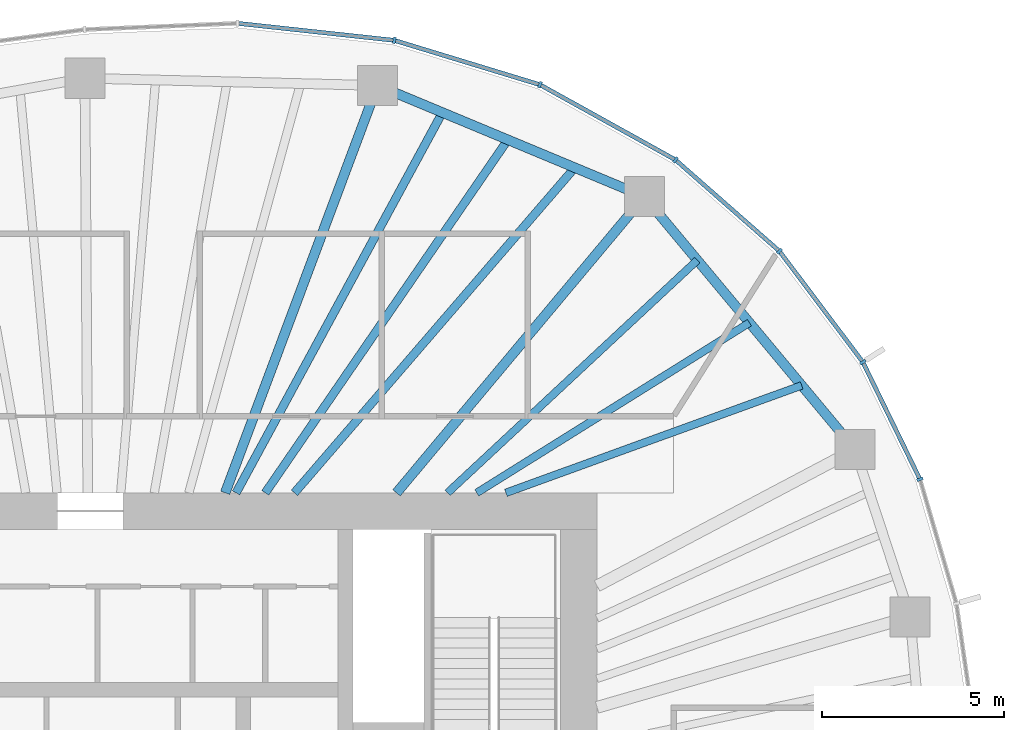
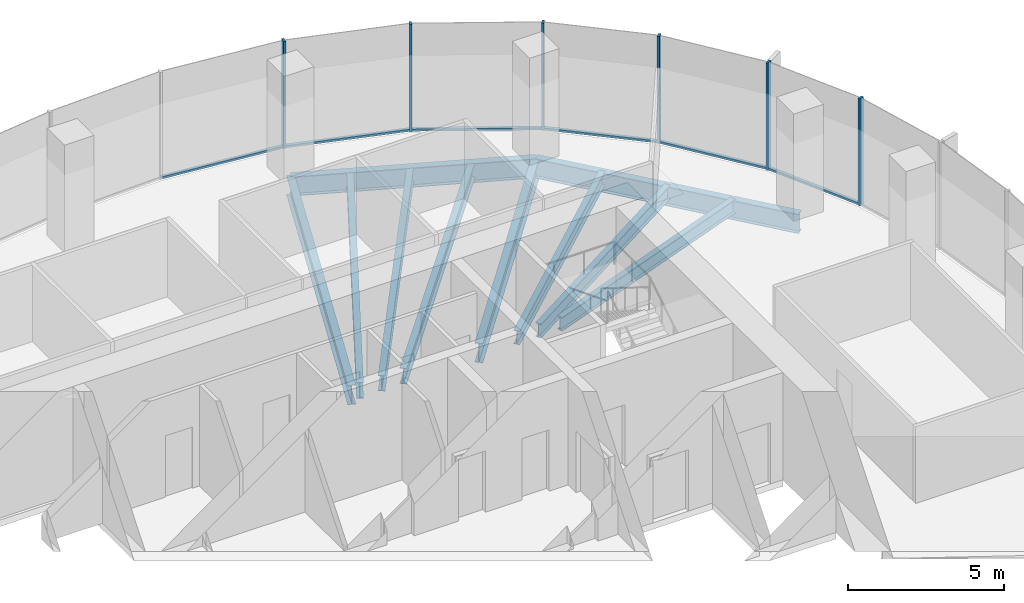
# One storey, part 6 of 11: 12 members, 10 beams, 4 elements without a shape of their own.
"""IFC4 building model written with IfcOpenShell, lengths in metres."""

from ifc_helpers import new_model, si_unit, direction, frame, origin, origin_2d, place, context, subcontext, project, spatial, rectangle, i_section, extrude, material, material_profile, profile_set, type_object, element, aggregate, save


model = new_model("IFC4")

# Units and contexts
model_context = context("Model", 3, precision=1e-05, world=origin(), true_north=direction((0.0, 1.0)))
body_context = subcontext(model_context, "Body", "Model", "MODEL_VIEW")
ifc_project = project(units=[si_unit("LENGTHUNIT", "METRE"), si_unit("AREAUNIT", "SQUARE_METRE"), si_unit("VOLUMEUNIT", "CUBIC_METRE"), si_unit("PLANEANGLEUNIT", "RADIAN"), si_unit("MASSUNIT", "GRAM", prefix="KILO")], contexts=[model_context])

# Site, building, storey
site_placement = place(None, origin())
site = spatial("IfcSite", under=ifc_project, at=site_placement, CompositionType="ELEMENT")
building_placement = place(site_placement, origin())
building = spatial("IfcBuilding", under=site, at=building_placement, Name="Ghaith Harvest Tower", CompositionType="ELEMENT")
storey_placement = place(building_placement, frame((0.0, 0.0, 283.800048828125)))
storey = spatial("IfcBuildingStorey", under=building, at=storey_placement, Name="L63", CompositionType="ELEMENT", Elevation=283.800048828125)

# Curtain wall, member
ifc_material_1 = material(Name="Black anodised aluminium and fritted glass", Category="aluminium")
curtain_wall_type = type_object("IfcCurtainWallType", Name="CW-T CURTAIN WALL", PredefinedType="NOTDEFINED", material=ifc_material_1)
curtain_wall_1_placement = place(storey_placement, origin())
curtain_wall_1 = element("IfcCurtainWall", 1, at=curtain_wall_1_placement, inside=storey, type_object=curtain_wall_type, Name="Curtain wall CW-T bay 02 L63", PredefinedType="NOTDEFINED")
ifc_material_2 = material(Name="Aluminium, black anodised", Category="aluminium")
ifc_material_profile_1 = material_profile(ifc_material_2, rectangle(XDim=0.080078125, YDim=0.179931640625, at=origin_2d()), Name="CW-T MULLION 80x180")
ifc_profile_set_1 = profile_set([ifc_material_profile_1], Name="Aluminium, black anodised")
member_type_1 = type_object("IfcMemberType", Name="CW-T MULLION 80x180", PredefinedType="MULLION", material=ifc_profile_set_1)
member_1_placement = place(storey_placement, frame((22.754150390625, 10.272216796875, 0.0), z_axis=(0.0, 0.0, 1.0), x_axis=(-0.361184273709, 0.932494461338, 0.0)))
member_1 = element("IfcMember", 2, at=member_1_placement, type_object=member_type_1, Name="CW-T mullion 2 bay 02 L63", PredefinedType="MULLION", context=body_context, shape_type="SweptSolid", body=[
    extrude(rectangle(XDim=0.080078125, YDim=0.179931640625, at=origin_2d()), origin(), (0.0, 0.0, 1.0), 4.199951171875),
])

# Curtain wall, members
curtain_wall_2_placement = place(storey_placement, origin())
curtain_wall_2 = element("IfcCurtainWall", 3, at=curtain_wall_2_placement, inside=storey, type_object=curtain_wall_type, Name="Curtain wall CW-T bay 03 L63", PredefinedType="NOTDEFINED")
member_2_placement = place(storey_placement, frame((21.18896484375, 13.48486328125, 0.0), z_axis=(0.0, 0.0, 1.0), x_axis=(-0.524482238522, 0.851421388899, 0.0)))
member_2 = element("IfcMember", 4, at=member_2_placement, type_object=member_type_1, Name="CW-T mullion 1 bay 03 L63", PredefinedType="MULLION", context=body_context, shape_type="SweptSolid", body=[
    extrude(rectangle(XDim=0.080078125, YDim=0.179931640625, at=origin_2d()), origin(), (0.0, 0.0, 1.0), 4.199951171875),
])
member_3_placement = place(storey_placement, frame((18.901123046875, 16.527099609375, 0.0), z_axis=(0.0, 0.0, 1.0), x_axis=(-0.679660897075, 0.733526458274, 0.0)))
member_3 = element("IfcMember", 5, at=member_3_placement, type_object=member_type_1, Name="CW-T mullion 2 bay 03 L63", PredefinedType="MULLION", context=body_context, shape_type="SweptSolid", body=[
    extrude(rectangle(XDim=0.080078125, YDim=0.179931640625, at=origin_2d()), origin(), (0.0, 0.0, 1.0), 4.199951171875),
])

curtain_wall_3_placement = place(storey_placement, origin())
curtain_wall_3 = element("IfcCurtainWall", 6, at=curtain_wall_3_placement, inside=storey, type_object=curtain_wall_type, Name="Curtain wall CW-T bay 04 L63", PredefinedType="NOTDEFINED")
member_4_placement = place(storey_placement, frame((16.04931640625, 19.031982421875, 0.0), z_axis=(0.0, 0.0, 1.0), x_axis=(-0.821112053873, 0.570767023385, 0.0)))
member_4 = element("IfcMember", 7, at=member_4_placement, type_object=member_type_1, Name="CW-T mullion 1 bay 04 L63", PredefinedType="MULLION", context=body_context, shape_type="SweptSolid", body=[
    extrude(rectangle(XDim=0.080078125, YDim=0.179931640625, at=origin_2d()), origin(), (0.0, 0.0, 1.0), 4.199951171875),
])
member_5_placement = place(storey_placement, frame((12.334228515625, 21.091796875, 0.0), z_axis=(0.0, 0.0, 1.0), x_axis=(-0.920319269246, 0.391168049123, 0.0)))
member_5 = element("IfcMember", 8, at=member_5_placement, type_object=member_type_1, Name="CW-T mullion 2 bay 04 L63", PredefinedType="MULLION", context=body_context, shape_type="SweptSolid", body=[
    extrude(rectangle(XDim=0.080078125, YDim=0.179931640625, at=origin_2d()), origin(), (0.0, 0.0, 1.0), 4.199951171875),
])

# Curtain wall, member
curtain_wall_4_placement = place(storey_placement, origin())
curtain_wall_4 = element("IfcCurtainWall", 9, at=curtain_wall_4_placement, inside=storey, type_object=curtain_wall_type, Name="Curtain wall CW-T bay 05 L63", PredefinedType="NOTDEFINED")
member_6_placement = place(storey_placement, frame((8.33984375, 22.308837890625, 0.0), z_axis=(0.0, 0.0, 1.0), x_axis=(-0.980000193436, 0.198996534809, 0.0)))
member_6 = element("IfcMember", 10, at=member_6_placement, type_object=member_type_1, Name="CW-T mullion 1 bay 05 L63", PredefinedType="MULLION", context=body_context, shape_type="SweptSolid", body=[
    extrude(rectangle(XDim=0.080078125, YDim=0.179931640625, at=origin_2d()), origin(), (0.0, 0.0, 1.0), 4.199951171875),
])

# Member
ifc_material_3 = material(Name="Aluminium, black anodised", Category="aluminium")
ifc_material_profile_2 = material_profile(ifc_material_3, rectangle(XDim=0.1201171875, YDim=0.080078125, at=origin_2d()), Name="CW-T TRANSOM 120x80")
ifc_profile_set_2 = profile_set([ifc_material_profile_2], Name="Aluminium, black anodised")
member_type_2 = type_object("IfcMemberType", Name="CW-T TRANSOM 120x80", PredefinedType="USERDEFINED", material=ifc_profile_set_2)
member_7_placement = place(storey_placement, frame((22.736572265625, 10.308349609375, 0.0400390625), z_axis=(-0.437965078712, 0.898991985408, 0.0), x_axis=(-0.898991985408, -0.437965078712, 0.0)))
member_7 = element("IfcMember", 11, at=member_7_placement, type_object=member_type_2, Name="CW-T transom 2 bay 02 L63", ObjectType="TRANSOM", PredefinedType="USERDEFINED", context=body_context, shape_type="SweptSolid", body=[
    extrude(rectangle(XDim=0.1201171875, YDim=0.080078125, at=origin_2d()), origin(), (0.0, 0.0, 1.0), 3.493408203125),
])

aggregate(curtain_wall_1, [member_1, member_7])

member_8_placement = place(storey_placement, frame((21.1650390625, 13.516845703125, 0.0400390625), z_axis=(-0.601079103045, 0.799189534392, 0.0), x_axis=(-0.799189534392, -0.601079103045, 0.0)))
member_8 = element("IfcMember", 12, at=member_8_placement, type_object=member_type_2, Name="CW-T transom 1 bay 03 L63", ObjectType="TRANSOM", PredefinedType="USERDEFINED", context=body_context, shape_type="SweptSolid", body=[
    extrude(rectangle(XDim=0.1201171875, YDim=0.080078125, at=origin_2d()), origin(), (0.0, 0.0, 1.0), 3.7265625),
])

member_9_placement = place(storey_placement, frame((18.87109375, 16.553466796875, 0.0400390625), z_axis=(-0.751325799984, 0.659931467865, 0.0), x_axis=(-0.659931467865, -0.751325799984, 0.0)))
member_9 = element("IfcMember", 13, at=member_9_placement, type_object=member_type_2, Name="CW-T transom 2 bay 03 L63", ObjectType="TRANSOM", PredefinedType="USERDEFINED", context=body_context, shape_type="SweptSolid", body=[
    extrude(rectangle(XDim=0.1201171875, YDim=0.080078125, at=origin_2d()), origin(), (0.0, 0.0, 1.0), 3.7158203125),
])

aggregate(curtain_wall_2, [member_2, member_8, member_3, member_9])

member_10_placement = place(storey_placement, frame((16.01416015625, 19.051513671875, 0.0400390625), z_axis=(-0.874552130553, 0.484931511603, 0.0), x_axis=(-0.484931511603, -0.874552130553, 0.0)))
member_10 = element("IfcMember", 14, at=member_10_placement, type_object=member_type_2, Name="CW-T transom 1 bay 04 L63", ObjectType="TRANSOM", PredefinedType="USERDEFINED", context=body_context, shape_type="SweptSolid", body=[
    extrude(rectangle(XDim=0.1201171875, YDim=0.080078125, at=origin_2d()), origin(), (0.0, 0.0, 1.0), 4.16748046875),
])

member_11_placement = place(storey_placement, frame((12.296142578125, 21.103515625, 0.0400390625), z_axis=(-0.956593713342, 0.291424891858, 0.0), x_axis=(-0.291424891858, -0.956593713342, 0.0)))
member_11 = element("IfcMember", 15, at=member_11_placement, type_object=member_type_2, Name="CW-T transom 2 bay 04 L63", ObjectType="TRANSOM", PredefinedType="USERDEFINED", context=body_context, shape_type="SweptSolid", body=[
    extrude(rectangle(XDim=0.1201171875, YDim=0.080078125, at=origin_2d()), origin(), (0.0, 0.0, 1.0), 4.095703125),
])

aggregate(curtain_wall_3, [member_4, member_10, member_5, member_11])

member_12_placement = place(storey_placement, frame((8.300048828125, 22.313232421875, 0.0400390625), z_axis=(-0.994144463069, 0.108059180768, 0.0), x_axis=(-0.108059180768, -0.994144463069, 0.0)))
member_12 = element("IfcMember", 16, at=member_12_placement, type_object=member_type_2, Name="CW-T transom 1 bay 05 L63", ObjectType="TRANSOM", PredefinedType="USERDEFINED", context=body_context, shape_type="SweptSolid", body=[
    extrude(rectangle(XDim=0.1201171875, YDim=0.080078125, at=origin_2d()), origin(), (0.0, 0.0, 1.0), 4.24755859375),
])

aggregate(curtain_wall_4, [member_6, member_12])

# Beams
ifc_material_4 = material(Name="Steel ASTM A992 Grade 50", Category="steel")
ifc_material_profile_3 = material_profile(ifc_material_4, i_section(OverallWidth=0.26611328125, OverallDepth=0.758056640625, WebThickness=0.013916015625, FlangeThickness=0.019287109375, at=origin_2d()), Name="W760X161")
ifc_profile_set_3 = profile_set([ifc_material_profile_3], Name="Steel ASTM A992 Grade 50")
beam_type_1 = type_object("IfcBeamType", Name="E760-161 W760X161", PredefinedType="SPANDREL", material=ifc_profile_set_3)
beam_1_placement = place(storey_placement, frame((20.97705078125, 11.087890625, -0.549072265625), z_axis=(-0.640173759088, 0.76823014662, 0.0), x_axis=(-0.76823014662, -0.640173759088, 0.0)))
element("IfcBeam", 17, at=beam_1_placement, inside=storey, type_object=beam_type_1, Name="Edge beam E03 L63", PredefinedType="SPANDREL", context=body_context, shape_type="SweptSolid", body=[
    extrude(i_section(OverallWidth=0.26611328125, OverallDepth=0.758056640625, WebThickness=0.013916015625, FlangeThickness=0.019287109375, at=origin_2d()), origin(), (0.0, 0.0, 1.0), 9.02734375),
])
beam_2_placement = place(storey_placement, frame((15.197998046875, 18.02294921875, -0.549072265625), z_axis=(-0.923119729219, 0.384512633766, 0.0), x_axis=(-0.384512633766, -0.923119729219, 0.0)))
element("IfcBeam", 18, at=beam_2_placement, inside=storey, type_object=beam_type_1, Name="Edge beam E04 L63", PredefinedType="SPANDREL", context=body_context, shape_type="SweptSolid", body=[
    extrude(i_section(OverallWidth=0.26611328125, OverallDepth=0.758056640625, WebThickness=0.013916015625, FlangeThickness=0.019287109375, at=origin_2d()), origin(), (0.0, 0.0, 1.0), 7.9296875),
])
ifc_material_5 = material(Name="Steel ASTM A992 Grade 50", Category="steel")
ifc_material_profile_4 = material_profile(ifc_material_5, i_section(OverallWidth=0.26611328125, OverallDepth=0.758056640625, WebThickness=0.013916015625, FlangeThickness=0.019287109375, at=origin_2d()), Name="W760X161")
ifc_profile_set_4 = profile_set([ifc_material_profile_4], Name="Steel ASTM A992 Grade 50")
beam_type_2 = type_object("IfcBeamType", Name="G760-161 W760X161", PredefinedType="BEAM", material=ifc_profile_set_4)
beam_3_placement = place(storey_placement, frame((8.39990234375, 9.89990234375, -0.549072265625), z_axis=(0.641792628883, 0.766878231215, 0.0), x_axis=(-0.766878231215, 0.641792628883, 0.0)))
element("IfcBeam", 19, at=beam_3_placement, inside=storey, type_object=beam_type_2, Name="Radial girder G04 L63", PredefinedType="BEAM", context=body_context, shape_type="SweptSolid", body=[
    extrude(i_section(OverallWidth=0.26611328125, OverallDepth=0.758056640625, WebThickness=0.013916015625, FlangeThickness=0.019287109375, at=origin_2d()), origin(), (0.0, 0.0, 1.0), 10.59228515625),
])
beam_4_placement = place(storey_placement, frame((3.700927734375, 9.89990234375, -0.549072265625), z_axis=(0.350201332531, 0.936674450753, 0.0), x_axis=(-0.936674450753, 0.350201332531, 0.0)))
element("IfcBeam", 20, at=beam_4_placement, inside=storey, type_object=beam_type_2, Name="Radial girder G05 L63", PredefinedType="BEAM", context=body_context, shape_type="SweptSolid", body=[
    extrude(i_section(OverallWidth=0.26611328125, OverallDepth=0.758056640625, WebThickness=0.013916015625, FlangeThickness=0.019287109375, at=origin_2d()), origin(), (0.0, 0.0, 1.0), 11.927490234375),
])
ifc_material_6 = material(Name="Steel ASTM A992 Grade 50", Category="steel")
ifc_material_profile_5 = material_profile(ifc_material_6, i_section(OverallWidth=0.2109375, OverallDepth=0.5390625, WebThickness=0.01171875, FlangeThickness=0.018798828125, at=origin_2d()), Name="W530X109")
ifc_profile_set_5 = profile_set([ifc_material_profile_5], Name="Steel ASTM A992 Grade 50")
beam_type_3 = type_object("IfcBeamType", Name="J530-109 W530X109", PredefinedType="JOIST", material=ifc_profile_set_5)
beam_5_placement = place(storey_placement, frame((11.39990234375, 9.89990234375, -0.439453125), z_axis=(0.939925501564, 0.341379629605, 0.0), x_axis=(-0.341379629605, 0.939925501564, 0.0)))
element("IfcBeam", 21, at=beam_5_placement, inside=storey, type_object=beam_type_3, Name="Joist J03.1 L63", PredefinedType="JOIST", context=body_context, shape_type="SweptSolid", body=[
    extrude(i_section(OverallWidth=0.2109375, OverallDepth=0.5390625, WebThickness=0.01171875, FlangeThickness=0.018798828125, at=origin_2d()), origin(), (0.0, 0.0, 1.0), 8.630615234375),
])
beam_6_placement = place(storey_placement, frame((10.60009765625, 9.89990234375, -0.439453125), z_axis=(0.84837619421, 0.52939383553, 0.0), x_axis=(-0.52939383553, 0.84837619421, 0.0)))
element("IfcBeam", 22, at=beam_6_placement, inside=storey, type_object=beam_type_3, Name="Joist J03.2 L63", PredefinedType="JOIST", context=body_context, shape_type="SweptSolid", body=[
    extrude(i_section(OverallWidth=0.2109375, OverallDepth=0.5390625, WebThickness=0.01171875, FlangeThickness=0.018798828125, at=origin_2d()), origin(), (0.0, 0.0, 1.0), 8.814697265625),
])
beam_7_placement = place(storey_placement, frame((9.800048828125, 9.89990234375, -0.439453125), z_axis=(0.73164904944, 0.681681500742, 0.0), x_axis=(-0.681681500742, 0.73164904944, 0.0)))
element("IfcBeam", 23, at=beam_7_placement, inside=storey, type_object=beam_type_3, Name="Joist J03.3 L63", PredefinedType="JOIST", context=body_context, shape_type="SweptSolid", body=[
    extrude(i_section(OverallWidth=0.2109375, OverallDepth=0.5390625, WebThickness=0.01171875, FlangeThickness=0.018798828125, at=origin_2d()), origin(), (0.0, 0.0, 1.0), 9.361572265625),
])
ifc_material_7 = material(Name="Steel ASTM A992 Grade 50", Category="steel")
ifc_material_profile_6 = material_profile(ifc_material_7, i_section(OverallWidth=0.22998046875, OverallDepth=0.616943359375, WebThickness=0.01318359375, FlangeThickness=0.022216796875, at=origin_2d()), Name="W610X140")
ifc_profile_set_6 = profile_set([ifc_material_profile_6], Name="Steel ASTM A992 Grade 50")
beam_type_4 = type_object("IfcBeamType", Name="J610-140 W610X140", PredefinedType="JOIST", material=ifc_profile_set_6)
beam_8_placement = place(storey_placement, frame((5.60009765625, 9.89990234375, -0.478515625), z_axis=(0.652992938501, 0.757363995888, 0.0), x_axis=(-0.757363995888, 0.652992938501, 0.0)))
element("IfcBeam", 24, at=beam_8_placement, inside=storey, type_object=beam_type_4, Name="Joist J04.1 L63", PredefinedType="JOIST", context=body_context, shape_type="SweptSolid", body=[
    extrude(i_section(OverallWidth=0.22998046875, OverallDepth=0.616943359375, WebThickness=0.01318359375, FlangeThickness=0.022216796875, at=origin_2d()), origin(), (0.0, 0.0, 1.0), 11.775390625),
])
beam_9_placement = place(storey_placement, frame((4.800048828125, 9.89990234375, -0.478515625), z_axis=(0.566228035119, 0.824248634967, 0.0), x_axis=(-0.824248634967, 0.566228035119, 0.0)))
element("IfcBeam", 25, at=beam_9_placement, inside=storey, type_object=beam_type_4, Name="Joist J04.2 L63", PredefinedType="JOIST", context=body_context, shape_type="SweptSolid", body=[
    extrude(i_section(OverallWidth=0.22998046875, OverallDepth=0.616943359375, WebThickness=0.01318359375, FlangeThickness=0.022216796875, at=origin_2d()), origin(), (0.0, 0.0, 1.0), 11.748046875),
])
beam_10_placement = place(storey_placement, frame((4.0, 9.89990234375, -0.478515625), z_axis=(0.476764926531, 0.879030832696, 0.0), x_axis=(-0.879030832696, 0.476764926531, 0.0)))
element("IfcBeam", 26, at=beam_10_placement, inside=storey, type_object=beam_type_4, Name="Joist J04.3 L63", PredefinedType="JOIST", context=body_context, shape_type="SweptSolid", body=[
    extrude(i_section(OverallWidth=0.22998046875, OverallDepth=0.616943359375, WebThickness=0.01318359375, FlangeThickness=0.022216796875, at=origin_2d()), origin(), (0.0, 0.0, 1.0), 11.866455078125),
])

save(model, "model.ifc")
